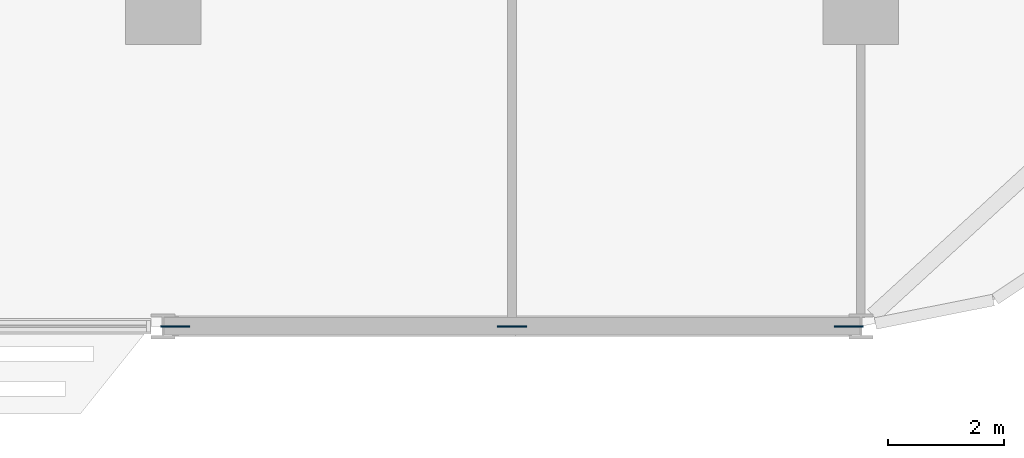
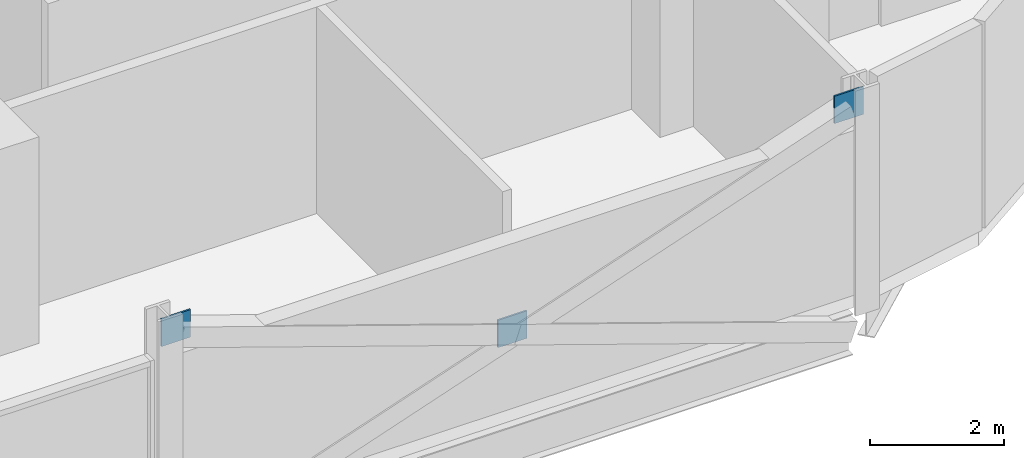
# One storey, part 22 of 28: 3 discrete accessories.
"""IFC4 building model written with IfcOpenShell, lengths in metres."""

import ifcopenshell
import ifcopenshell.guid

model = None  # the IFC model being written
_history = None  # IfcOwnerHistory: only IFC2X3 demands one
_inside = {}  # id of a spatial element -> (the spatial element, [elements in it])
_under = {}  # id of a project, library or spatial element -> (it, [spatial elements below it])
_declared = {}  # id of a project -> (the project, [libraries it declares])
_typed = {}  # id of a type object -> (the type object, [elements of that type])
_made_of = {}  # id of a material, layer set ... -> (it, [elements and type objects made of it])


def new_model(schema):
    """Start an empty IFC model of exactly this schema.

    Asked for "IFC4X3", IfcOpenShell would pick the latest addendum, in which some entities
    have other attributes; the version numbers below select the first issue.
    IFC2X3 requires an IfcOwnerHistory on every rooted entity: one is made here for all.
    """
    global model, _history
    if schema == "IFC4X3":
        model = ifcopenshell.file(schema_version=(4, 3, 0, 0))
    else:
        model = ifcopenshell.file(schema=schema)
    _inside.clear()
    _under.clear()
    _declared.clear()
    _typed.clear()
    _made_of.clear()
    _history = None
    if model.schema == "IFC2X3":
        org = make("IfcOrganization", Name="unknown")
        user = make(
            "IfcPersonAndOrganization",
            ThePerson=make("IfcPerson", FamilyName="unknown"),
            TheOrganization=org,
        )
        app = make(
            "IfcApplication",
            ApplicationDeveloper=org,
            Version="unknown",
            ApplicationFullName="unknown",
            ApplicationIdentifier="unknown",
        )
        _history = make(
            "IfcOwnerHistory",
            OwningUser=user,
            OwningApplication=app,
            ChangeAction="ADDED",
            CreationDate=0,
        )
    return model


def make(cls, **values):
    """One entity of the class cls with the attributes given. An attribute that is None is left unset."""
    return model.create_entity(
        cls, **{name: value for name, value in values.items() if value is not None}
    )


def rooted(cls, **values):
    """An entity with a GlobalId (a new one), such as an element, a storey or a relation."""
    return make(cls, GlobalId=ifcopenshell.guid.new(), OwnerHistory=_history, **values)


def si_unit(unit_type, name, prefix=None):
    """IfcSIUnit, for example si_unit("LENGTHUNIT", "METRE", prefix="MILLI")."""
    return make("IfcSIUnit", UnitType=unit_type, Prefix=prefix, Name=name)


def assignment(units):
    """IfcUnitAssignment: the units of a project."""
    return None if units is None else make("IfcUnitAssignment", Units=units)


def point(xyz):
    """IfcCartesianPoint."""
    return None if xyz is None else make("IfcCartesianPoint", Coordinates=xyz)


def direction(xyz):
    """IfcDirection."""
    return None if xyz is None else make("IfcDirection", DirectionRatios=xyz)


def frame(location, z_axis=None, x_axis=None):
    """IfcAxis2Placement3D, a coordinate frame: its origin and axes. An axis left out is left unset."""
    return make(
        "IfcAxis2Placement3D",
        Location=point(location),
        Axis=direction(z_axis),
        RefDirection=direction(x_axis),
    )


def frame_2d(location, x_axis=None):
    """IfcAxis2Placement2D, a coordinate frame in the plane: its origin and x axis."""
    return make(
        "IfcAxis2Placement2D", Location=point(location), RefDirection=direction(x_axis)
    )


def origin():
    """The frame at (0, 0, 0) with its axes left unset."""
    return frame((0.0, 0.0, 0.0))


def origin_2d():
    """The frame at (0, 0) in the plane with its x axis left unset."""
    return frame_2d((0.0, 0.0))


def place(relative_to, where):
    """IfcLocalPlacement: puts the frame where relative to a parent placement (None: the world)."""
    return make(
        "IfcLocalPlacement", PlacementRelTo=relative_to, RelativePlacement=where
    )


def context(
    kind, dimensions, precision=None, world=None, true_north=None, identifier=None
):
    """IfcGeometricRepresentationContext, for example the 3D "Model" context."""
    return make(
        "IfcGeometricRepresentationContext",
        ContextIdentifier=identifier,
        ContextType=kind,
        CoordinateSpaceDimension=dimensions,
        Precision=precision,
        WorldCoordinateSystem=world,
        TrueNorth=true_north,
    )


def subcontext(parent, identifier, kind, view, scale=None):
    """IfcGeometricRepresentationSubContext, for example "Body" below "Model"."""
    return make(
        "IfcGeometricRepresentationSubContext",
        ContextIdentifier=identifier,
        ContextType=kind,
        ParentContext=parent,
        TargetScale=scale,
        TargetView=view,
    )


def project(units=None, contexts=None):
    """IfcProject with its units and contexts."""
    return rooted(
        "IfcProject",
        Name="project",
        RepresentationContexts=contexts,
        UnitsInContext=assignment(units),
    )


def spatial(cls, under=None, at=None, **own):
    """A site, building, storey or space (cls), placed at a placement, below another one or the project."""
    s = rooted(cls, ObjectPlacement=at, **own)
    if under is not None:
        _under.setdefault(under.id(), (under, []))[1].append(s)
    return s


def profile(cls, at=None, kind="AREA", **sizes):
    """A parametric profile (cls). Its sizes go by their IFC names, for example OverallWidth=200.0."""
    return make(cls, ProfileType=kind, Position=at, **sizes)


def rectangle(**sizes):
    """IfcRectangleProfileDef."""
    return profile("IfcRectangleProfileDef", **sizes)


def extrude(swept, where, along, depth):
    """IfcExtrudedAreaSolid: the profile swept, set in the frame where, extruded along a direction by depth."""
    return make(
        "IfcExtrudedAreaSolid",
        SweptArea=swept,
        Position=where,
        ExtrudedDirection=direction(along),
        Depth=depth,
    )


def shape(context_of_items, identifier, shape_type, items):
    """IfcShapeRepresentation: the items that make up one representation, for example the "Body"."""
    return make(
        "IfcShapeRepresentation",
        ContextOfItems=context_of_items,
        RepresentationIdentifier=identifier,
        RepresentationType=shape_type,
        Items=items,
    )


def material(Name=None, Category=None):
    """IfcMaterial."""
    return make("IfcMaterial", Name=Name, Category=Category)


def layer(
    of_material, thickness, ventilated=None, Name=None, Category=None, Priority=None
):
    """IfcMaterialLayer: one layer of a wall or slab, of a material (None: an air gap)."""
    return make(
        "IfcMaterialLayer",
        Material=of_material,
        LayerThickness=thickness,
        IsVentilated=ventilated,
        Name=Name,
        Category=Category,
        Priority=Priority,
    )


def layer_set(layers, Name=None):
    """IfcMaterialLayerSet."""
    return make("IfcMaterialLayerSet", MaterialLayers=layers, LayerSetName=Name)


def made_of(thing, what):
    """Note that an element or type object is made of a material, layer set ...; save() writes the relation."""
    if what is not None:
        _made_of.setdefault(what.id(), (what, []))[1].append(thing)
    return thing


def type_object(cls, material=None, **own):
    """A type object (cls), such as IfcWallType, which elements share."""
    return made_of(rooted(cls, **own), material)


def element(
    cls,
    number,
    at=None,
    inside=None,
    cuts=None,
    type_object=None,
    material=None,
    context=None,
    identifier="Body",
    shape_type=None,
    held_by="IfcProductDefinitionShape",
    body=None,
    shapes=None,
    **own,
):
    """One element of the class cls, such as IfcWall. Its Tag is "e" and its number.

    at: its placement. inside: the storey or other place that contains it. cuts: it is an
    opening in that element (IfcRelVoidsElement). A single representation is given by context,
    identifier, shape_type and body (its items); several are given by shapes. held_by: the class
    of the entity that holds the representations. save() writes the other relations.
    """
    e = rooted(cls, Tag="e%d" % number, ObjectPlacement=at, **own)
    if body is not None:
        shapes = [shape(context, identifier, shape_type, body)]
    if shapes is not None:
        e.Representation = make(held_by, Representations=shapes)
    if inside is not None:
        _inside.setdefault(inside.id(), (inside, []))[1].append(e)
    if cuts is not None:
        rooted(
            "IfcRelVoidsElement", RelatingBuildingElement=cuts, RelatedOpeningElement=e
        )
    if type_object is not None:
        _typed.setdefault(type_object.id(), (type_object, []))[1].append(e)
    return made_of(e, material)


def aggregate(whole, parts):
    """IfcRelAggregates: a whole, such as a stair, and the parts it consists of."""
    return rooted("IfcRelAggregates", RelatingObject=whole, RelatedObjects=parts)


def save(model, path):
    """Write the relations noted so far, then the file.

    IfcRelAggregates (storeys below a building ...), IfcRelContainedInSpatialStructure (elements
    in a storey), IfcRelDefinesByType, IfcRelAssociatesMaterial and IfcRelDeclares: one each for
    every whole, place, type object, material and project.
    """
    for whole, parts in _under.values():
        aggregate(whole, parts)
    for where, things in _inside.values():
        rooted(
            "IfcRelContainedInSpatialStructure",
            RelatedElements=things,
            RelatingStructure=where,
        )
    for kind, things in _typed.values():
        rooted("IfcRelDefinesByType", RelatedObjects=things, RelatingType=kind)
    for what, things in _made_of.values():
        rooted("IfcRelAssociatesMaterial", RelatedObjects=things, RelatingMaterial=what)
    for by, libraries in _declared.values():
        rooted("IfcRelDeclares", RelatingContext=by, RelatedDefinitions=libraries)
    model.write(path)


model = new_model("IFC4")

# Units and contexts
model_context = context("Model", 3, precision=1e-05, world=origin(), true_north=direction((0.0, 1.0)))
body_context = subcontext(model_context, "Body", "Model", "MODEL_VIEW")
ifc_project = project(units=[si_unit("LENGTHUNIT", "METRE"), si_unit("AREAUNIT", "SQUARE_METRE"), si_unit("VOLUMEUNIT", "CUBIC_METRE"), si_unit("PLANEANGLEUNIT", "RADIAN"), si_unit("MASSUNIT", "GRAM", prefix="KILO")], contexts=[model_context])

# Site, building, storey
site_placement = place(None, origin())
site = spatial("IfcSite", under=ifc_project, at=site_placement, CompositionType="ELEMENT")
building_placement = place(site_placement, origin())
building = spatial("IfcBuilding", under=site, at=building_placement, Name="Mahtab Terrace Research Tower", CompositionType="ELEMENT")
storey_placement = place(building_placement, frame((0.0, 0.0, 134.300048828125)))
storey = spatial("IfcBuildingStorey", under=building, at=storey_placement, Name="L31", CompositionType="ELEMENT", Elevation=134.300048828125)

# Discrete accessories
ifc_material = material(Name="Steel ASTM A992 Gr 50", Category="steel")
ifc_layer = layer(ifc_material, 0.030029296875)
ifc_layer_set = layer_set([ifc_layer], Name="Gusset plate 500x500x30")
discrete_accessory_type = type_object("IfcDiscreteAccessoryType", Name="Gusset plate 500x500x30", PredefinedType="USERDEFINED", material=ifc_layer_set)
for number, where, z_axis, x_axis, name in (
    (1, (30.205810546875, -17.0, 3.131591796875), (0.0, 0.0, 1.0), (1.0, 0.0, 0.0), "Gusset plate"),
    (2, (36.0, -17.0, 1.08154296875), (0.0, 0.0, 1.0), (1.0, 0.0, 0.0), "Gusset plate"),
    (3, (41.794189453125, -17.0, 3.131591796875), (0.0, 0.0, 1.0), (1.0, 0.0, 0.0), "Gusset plate"),
):
    element("IfcDiscreteAccessory", number, at=place(storey_placement, frame(where, z_axis=z_axis, x_axis=x_axis)), inside=storey, type_object=discrete_accessory_type, Name=name, ObjectType="GUSSET PLATE", PredefinedType="USERDEFINED", context=body_context, shape_type="SweptSolid", body=[
        extrude(rectangle(XDim=0.5, YDim=0.030029296875, at=origin_2d()), origin(), (0.0, 0.0, 1.0), 0.5),
    ])

save(model, "model.ifc")
